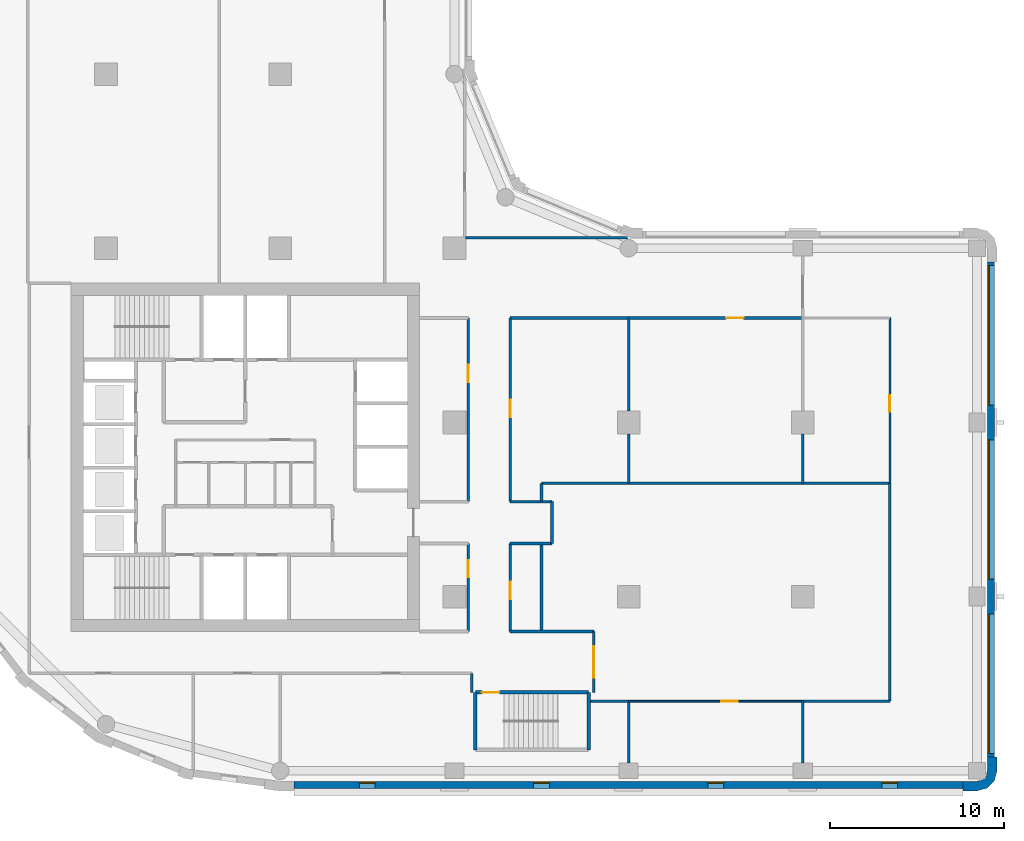
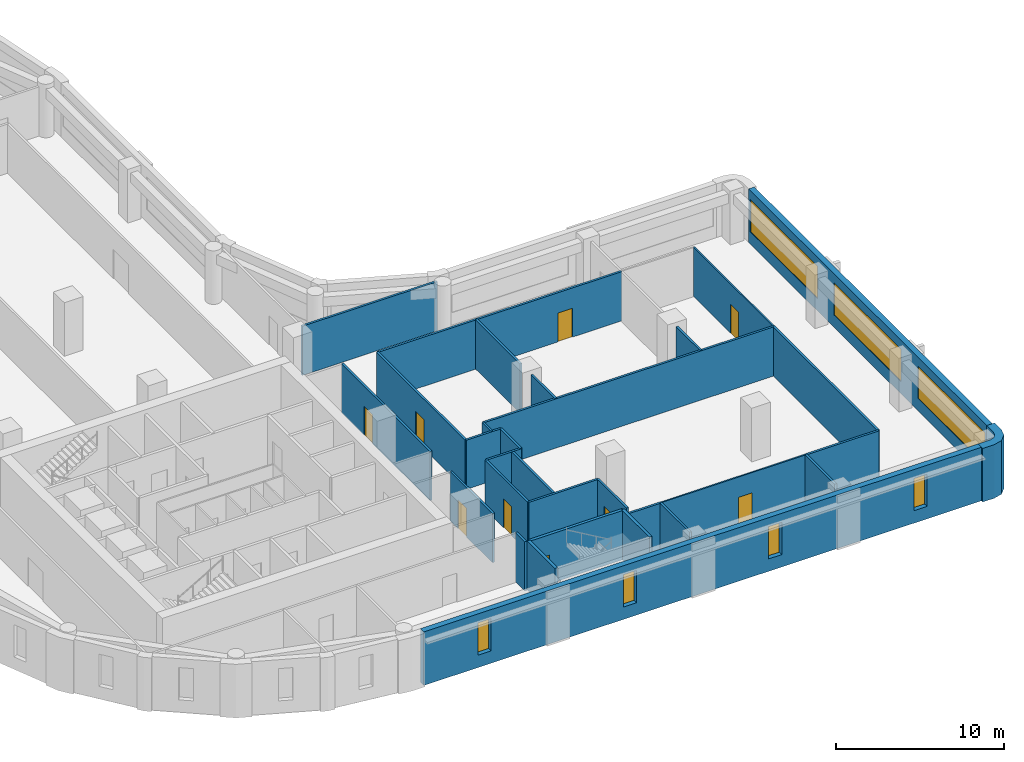
# One storey, part 4 of 9: 31 walls, 9 doors, 7 windows, 16 openings.
"""IFC4 building model written with IfcOpenShell, lengths in metres."""

from ifc_helpers import new_model, si_unit, direction, frame, frame_2d, origin, place, context, subcontext, project, spatial, polyline, rectangle, outline, extrude, material, layer, layer_set, type_object, element, fill, save


model = new_model("IFC4")

# Units and contexts
model_context = context("Model", 3, precision=1e-05, world=origin(), true_north=direction((0.0, 1.0)))
body_context = subcontext(model_context, "Body", "Model", "MODEL_VIEW")
ifc_project = project(units=[si_unit("LENGTHUNIT", "METRE"), si_unit("AREAUNIT", "SQUARE_METRE"), si_unit("VOLUMEUNIT", "CUBIC_METRE"), si_unit("PLANEANGLEUNIT", "RADIAN"), si_unit("MASSUNIT", "GRAM", prefix="KILO")], contexts=[model_context])

# Site, building, storey
site_placement = place(None, origin())
site = spatial("IfcSite", under=ifc_project, at=site_placement, CompositionType="ELEMENT")
building_placement = place(site_placement, origin())
building = spatial("IfcBuilding", under=site, at=building_placement, Name="Qaws Garden Tower", CompositionType="ELEMENT")
storey_placement = place(building_placement, frame((0.0, 0.0, 143.39990234375)))
storey = spatial("IfcBuildingStorey", under=building, at=storey_placement, Name="L34", CompositionType="ELEMENT", Elevation=143.39990234375)

# Wall
ifc_material_1 = material(Name="Clay facing brick masonry", Category="masonry")
ifc_layer_1 = layer(ifc_material_1, 0.550048828125)
ifc_layer_set_1 = layer_set([ifc_layer_1], Name="Clay facing brick masonry")
wall_type_1 = type_object("IfcWallType", Name="Brick corner pier 550 x 2400", PredefinedType="SOLIDWALL", material=ifc_layer_set_1)
wall_1_placement = place(storey_placement, origin())
element("IfcWall", 1, at=wall_1_placement, inside=storey, type_object=wall_type_1, Name="E-L34-pier-04", PredefinedType="SOLIDWALL", context=body_context, shape_type="SweptSolid", body=[
    extrude(outline(polyline([(59.199951171875, -1.0), (59.199951171875, -1.14990234375), (60.0, -1.14990234375), (60.574951171875, -0.995849609375), (60.995849609375, -0.574951171875), (61.14990234375, 0.0), (61.14990234375, 0.800048828125), (61.0, 0.800048828125), (60.60009765625, 0.800048828125), (60.60009765625, 0.0), (60.51953125, -0.300048828125), (60.300048828125, -0.51953125), (60.0, -0.60009765625), (59.199951171875, -0.60009765625), (59.199951171875, -1.0)])), origin(), (0.0, 0.0, 1.0), 3.900146484375),
])

# Wall, openings, windows
ifc_material_2 = material(Name="Clay facing brick masonry", Category="masonry")
ifc_layer_2 = layer(ifc_material_2, 0.39990234375)
ifc_layer_set_2 = layer_set([ifc_layer_2], Name="Clay facing brick masonry")
wall_type_2 = type_object("IfcWallType", Name="Brick infill wall 400", PredefinedType="SOLIDWALL", material=ifc_layer_set_2)
wall_2_placement = place(storey_placement, frame((20.800048828125, -0.800048828125, 0.0), z_axis=(0.0, 0.0, 1.0), x_axis=(1.0, 0.0, 0.0)))
wall_2 = element("IfcWall", 2, at=wall_2_placement, inside=storey, type_object=wall_type_2, Name="E-L34-infill-00", PredefinedType="SOLIDWALL", context=body_context, shape_type="SweptSolid", body=[
    extrude(rectangle(XDim=38.39990234375, YDim=0.39990234375, at=frame_2d((19.199951171875, 0.0))), origin(), (0.0, 0.0, 1.0), 3.900146484375),
])
opening_1_placement = place(wall_2_placement, frame((3.75, 0.0, 0.89990234375)))
opening_1 = element("IfcOpeningElement", 3, at=opening_1_placement, cuts=wall_2, Name="Opening W09", PredefinedType="OPENING", context=body_context, shape_type="SweptSolid", body=[
    extrude(rectangle(XDim=0.89990234375, YDim=2.35009765625, at=frame_2d((0.449951171875, 1.175048828125))), frame((0.0, 0.2099609375, 0.0), z_axis=(0.0, -1.0, 0.0), x_axis=(1.0, 0.0, 0.0)), (0.0, 0.0, 1.0), 0.419921875),
])
opening_2_placement = place(wall_2_placement, frame((13.75, 0.0, 0.89990234375)))
opening_2 = element("IfcOpeningElement", 4, at=opening_2_placement, cuts=wall_2, Name="Opening W09", PredefinedType="OPENING", context=body_context, shape_type="SweptSolid", body=[
    extrude(rectangle(XDim=0.89990234375, YDim=2.35009765625, at=frame_2d((0.449951171875, 1.175048828125))), frame((0.0, 0.2099609375, 0.0), z_axis=(0.0, -1.0, 0.0), x_axis=(1.0, 0.0, 0.0)), (0.0, 0.0, 1.0), 0.419921875),
])
opening_3_placement = place(wall_2_placement, frame((23.75, 0.0, 0.89990234375)))
opening_3 = element("IfcOpeningElement", 5, at=opening_3_placement, cuts=wall_2, Name="Opening W09", PredefinedType="OPENING", context=body_context, shape_type="SweptSolid", body=[
    extrude(rectangle(XDim=0.89990234375, YDim=2.35009765625, at=frame_2d((0.449951171875, 1.175048828125))), frame((0.0, 0.2099609375, 0.0), z_axis=(0.0, -1.0, 0.0), x_axis=(1.0, 0.0, 0.0)), (0.0, 0.0, 1.0), 0.419921875),
])
opening_4_placement = place(wall_2_placement, frame((33.75, 0.0, 0.89990234375)))
opening_4 = element("IfcOpeningElement", 6, at=opening_4_placement, cuts=wall_2, Name="Opening W09", PredefinedType="OPENING", context=body_context, shape_type="SweptSolid", body=[
    extrude(rectangle(XDim=0.89990234375, YDim=2.35009765625, at=frame_2d((0.449951171875, 1.175048828125))), frame((0.0, 0.2099609375, 0.0), z_axis=(0.0, -1.0, 0.0), x_axis=(1.0, 0.0, 0.0)), (0.0, 0.0, 1.0), 0.419921875),
])
ifc_material_3 = material(Name="Aluminium framed window, clear glazing", Category="aluminium")
window_type_1 = type_object("IfcWindowType", Name="Slit window 900 x 2350", PartitioningType="SINGLE_PANEL", PredefinedType="WINDOW", material=ifc_material_3)
window_1_placement = place(opening_1_placement, origin())
window_1 = element("IfcWindow", 7, at=window_1_placement, inside=storey, type_object=window_type_1, Name="E-L34-window-00-0", OverallHeight=2.35009765625, OverallWidth=0.89990234375, PartitioningType="SINGLE_PANEL", PredefinedType="WINDOW", context=body_context, shape_type="SweptSolid", body=[
    extrude(rectangle(XDim=0.89990234375, YDim=2.35009765625, at=frame_2d((0.449951171875, 1.175048828125))), frame((0.0, 0.159912109375, 0.0), z_axis=(0.0, -1.0, 0.0), x_axis=(1.0, 0.0, 0.0)), (0.0, 0.0, 1.0), 0.06005859375),
])
fill(opening_1, window_1)
window_2_placement = place(opening_2_placement, origin())
window_2 = element("IfcWindow", 8, at=window_2_placement, inside=storey, type_object=window_type_1, Name="E-L34-window-01-0", OverallHeight=2.35009765625, OverallWidth=0.89990234375, PartitioningType="SINGLE_PANEL", PredefinedType="WINDOW", context=body_context, shape_type="SweptSolid", body=[
    extrude(rectangle(XDim=0.89990234375, YDim=2.35009765625, at=frame_2d((0.449951171875, 1.175048828125))), frame((0.0, 0.159912109375, 0.0), z_axis=(0.0, -1.0, 0.0), x_axis=(1.0, 0.0, 0.0)), (0.0, 0.0, 1.0), 0.06005859375),
])
fill(opening_2, window_2)
window_3_placement = place(opening_3_placement, origin())
window_3 = element("IfcWindow", 9, at=window_3_placement, inside=storey, type_object=window_type_1, Name="E-L34-window-02-0", OverallHeight=2.35009765625, OverallWidth=0.89990234375, PartitioningType="SINGLE_PANEL", PredefinedType="WINDOW", context=body_context, shape_type="SweptSolid", body=[
    extrude(rectangle(XDim=0.89990234375, YDim=2.35009765625, at=frame_2d((0.449951171875, 1.175048828125))), frame((0.0, 0.159912109375, 0.0), z_axis=(0.0, -1.0, 0.0), x_axis=(1.0, 0.0, 0.0)), (0.0, 0.0, 1.0), 0.06005859375),
])
fill(opening_3, window_3)
window_4_placement = place(opening_4_placement, origin())
window_4 = element("IfcWindow", 10, at=window_4_placement, inside=storey, type_object=window_type_1, Name="E-L34-window-03-0", OverallHeight=2.35009765625, OverallWidth=0.89990234375, PartitioningType="SINGLE_PANEL", PredefinedType="WINDOW", context=body_context, shape_type="SweptSolid", body=[
    extrude(rectangle(XDim=0.89990234375, YDim=2.35009765625, at=frame_2d((0.449951171875, 1.175048828125))), frame((0.0, 0.159912109375, 0.0), z_axis=(0.0, -1.0, 0.0), x_axis=(1.0, 0.0, 0.0)), (0.0, 0.0, 1.0), 0.06005859375),
])
fill(opening_4, window_4)

wall_3_placement = place(storey_placement, frame((60.800048828125, 0.800048828125, 0.0), z_axis=(0.0, 0.0, 1.0), x_axis=(0.0, 1.0, 0.0)))
wall_3 = element("IfcWall", 11, at=wall_3_placement, inside=storey, type_object=wall_type_2, Name="E-L34-infill-04", PredefinedType="SOLIDWALL", context=body_context, shape_type="SweptSolid", body=[
    extrude(rectangle(XDim=28.39990234375, YDim=0.39990234375, at=frame_2d((14.199951171875, 0.0))), origin(), (0.0, 0.0, 1.0), 3.900146484375),
])
opening_5_placement = place(wall_3_placement, frame((0.199951171875, 0.0, 0.89990234375)))
opening_5 = element("IfcOpeningElement", 12, at=opening_5_placement, cuts=wall_3, Name="Opening W01", PredefinedType="OPENING", context=body_context, shape_type="SweptSolid", body=[
    extrude(rectangle(XDim=8.0, YDim=2.35009765625, at=frame_2d((4.0, 1.175048828125))), frame((0.0, 0.2099609375, 0.0), z_axis=(0.0, -1.0, 0.0), x_axis=(1.0, 0.0, 0.0)), (0.0, 0.0, 1.0), 0.419921875),
])
opening_6_placement = place(wall_3_placement, frame((10.199951171875, 0.0, 0.89990234375)))
opening_6 = element("IfcOpeningElement", 13, at=opening_6_placement, cuts=wall_3, Name="Opening W01", PredefinedType="OPENING", context=body_context, shape_type="SweptSolid", body=[
    extrude(rectangle(XDim=8.0, YDim=2.35009765625, at=frame_2d((4.0, 1.175048828125))), frame((0.0, 0.2099609375, 0.0), z_axis=(0.0, -1.0, 0.0), x_axis=(1.0, 0.0, 0.0)), (0.0, 0.0, 1.0), 0.419921875),
])
opening_7_placement = place(wall_3_placement, frame((20.199951171875, 0.0, 0.89990234375)))
opening_7 = element("IfcOpeningElement", 14, at=opening_7_placement, cuts=wall_3, Name="Opening W01", PredefinedType="OPENING", context=body_context, shape_type="SweptSolid", body=[
    extrude(rectangle(XDim=8.0, YDim=2.35009765625, at=frame_2d((4.0, 1.175048828125))), frame((0.0, 0.2099609375, 0.0), z_axis=(0.0, -1.0, 0.0), x_axis=(1.0, 0.0, 0.0)), (0.0, 0.0, 1.0), 0.419921875),
])
ifc_material_4 = material(Name="Aluminium framed window, clear glazing", Category="aluminium")
window_type_2 = type_object("IfcWindowType", Name="Ribbon window 8000 x 2350", PartitioningType="DOUBLE_PANEL_VERTICAL", PredefinedType="WINDOW", material=ifc_material_4)
window_5_placement = place(opening_5_placement, origin())
window_5 = element("IfcWindow", 15, at=window_5_placement, inside=storey, type_object=window_type_2, Name="E-L34-window-04-0", OverallHeight=2.35009765625, OverallWidth=8.0, PartitioningType="SINGLE_PANEL", PredefinedType="WINDOW", context=body_context, shape_type="SweptSolid", body=[
    extrude(rectangle(XDim=8.0, YDim=2.35009765625, at=frame_2d((4.0, 1.175048828125))), frame((0.0, 0.159912109375, 0.0), z_axis=(0.0, -1.0, 0.0), x_axis=(1.0, 0.0, 0.0)), (0.0, 0.0, 1.0), 0.06005859375),
])
fill(opening_5, window_5)
window_6_placement = place(opening_6_placement, origin())
window_6 = element("IfcWindow", 16, at=window_6_placement, inside=storey, type_object=window_type_2, Name="E-L34-window-05-0", OverallHeight=2.35009765625, OverallWidth=8.0, PartitioningType="SINGLE_PANEL", PredefinedType="WINDOW", context=body_context, shape_type="SweptSolid", body=[
    extrude(rectangle(XDim=8.0, YDim=2.35009765625, at=frame_2d((4.0, 1.175048828125))), frame((0.0, 0.159912109375, 0.0), z_axis=(0.0, -1.0, 0.0), x_axis=(1.0, 0.0, 0.0)), (0.0, 0.0, 1.0), 0.06005859375),
])
fill(opening_6, window_6)
window_7_placement = place(opening_7_placement, origin())
window_7 = element("IfcWindow", 17, at=window_7_placement, inside=storey, type_object=window_type_2, Name="E-L34-window-06-0", OverallHeight=2.35009765625, OverallWidth=8.0, PartitioningType="SINGLE_PANEL", PredefinedType="WINDOW", context=body_context, shape_type="SweptSolid", body=[
    extrude(rectangle(XDim=8.0, YDim=2.35009765625, at=frame_2d((4.0, 1.175048828125))), frame((0.0, 0.159912109375, 0.0), z_axis=(0.0, -1.0, 0.0), x_axis=(1.0, 0.0, 0.0)), (0.0, 0.0, 1.0), 0.06005859375),
])
fill(opening_7, window_7)

# Wall, opening, door
ifc_material_5 = material(Name="Concrete C70", Category="concrete")
ifc_layer_3 = layer(ifc_material_5, 0.199951171875)
ifc_layer_set_3 = layer_set([ifc_layer_3], Name="Concrete C70")
wall_type_3 = type_object("IfcWallType", Name="Core shaft wall 200 C70", PredefinedType="SHEAR", material=ifc_layer_set_3)
wall_4_placement = place(storey_placement, frame((31.199951171875, 4.5, 0.0), z_axis=(0.0, 0.0, 1.0), x_axis=(1.0, 0.0, 0.0)))
wall_4 = element("IfcWall", 18, at=wall_4_placement, inside=storey, type_object=wall_type_3, Name="Shaft wall", PredefinedType="SHEAR", context=body_context, shape_type="SweptSolid", body=[
    extrude(rectangle(XDim=6.5, YDim=0.199951171875, at=frame_2d((3.25, 0.0))), origin(), (0.0, 0.0, 1.0), 3.580078125),
])
opening_8_placement = place(wall_4_placement, frame((0.375, 0.0, 0.0)))
opening_8 = element("IfcOpeningElement", 19, at=opening_8_placement, cuts=wall_4, Name="Opening SD12", PredefinedType="OPENING", context=body_context, shape_type="SweptSolid", body=[
    extrude(rectangle(XDim=1.0, YDim=2.10009765625, at=frame_2d((0.5, 1.050048828125))), frame((0.0, 0.10986328125, 0.0), z_axis=(0.0, -1.0, 0.0), x_axis=(1.0, 0.0, 0.0)), (0.0, 0.0, 1.0), 0.219970703125),
])
ifc_material_6 = material(Name="Steel S235", Category="steel")
door_type_1 = type_object("IfcDoorType", Name="Stair door 1000x2100", OperationType="SINGLE_SWING_RIGHT", PredefinedType="DOOR", material=ifc_material_6)
door_1_placement = place(opening_8_placement, frame((1.0, 0.0, 0.0), z_axis=(0.0, 0.0, 1.0), x_axis=(-1.0, 0.0, 0.0)))
door_1 = element("IfcDoor", 20, at=door_1_placement, inside=storey, type_object=door_type_1, Name="Stair 5 door", OperationType="SINGLE_SWING_RIGHT", OverallHeight=2.10009765625, OverallWidth=1.0, PredefinedType="DOOR", context=body_context, shape_type="SweptSolid", body=[
    extrude(rectangle(XDim=1.0, YDim=2.10009765625, at=frame_2d((0.5, 1.050048828125))), frame((0.0, 0.02490234375, 0.0), z_axis=(0.0, -1.0, 0.0), x_axis=(1.0, 0.0, 0.0)), (0.0, 0.0, 1.0), 0.050048828125),
])
fill(opening_8, door_1)

# Walls
for number, where, z_axis, x_axis, name in (
    (21, (31.199951171875, 1.199951171875, 0.0), (0.0, 0.0, 1.0), (0.0, 1.0, 0.0), "Shaft wall"),
    (22, (37.699951171875, 1.199951171875, 0.0), (0.0, 0.0, 1.0), (0.0, 1.0, 0.0), "Shaft wall"),
):
    element("IfcWall", number, at=place(storey_placement, frame(where, z_axis=z_axis, x_axis=x_axis)), inside=storey, type_object=wall_type_3, Name=name, PredefinedType="SHEAR", context=body_context, shape_type="SweptSolid", body=[
        extrude(rectangle(XDim=3.300048828125, YDim=0.199951171875, at=frame_2d((1.64990234375, 0.0))), origin(), (0.0, 0.0, 1.0), 3.580078125),
    ])

# Wall, opening, door
ifc_material_7 = material(Name="Gypsum board partition")
ifc_layer_4 = layer(ifc_material_7, 0.10009765625)
ifc_layer_set_4 = layer_set([ifc_layer_4], Name="Gypsum board partition")
wall_type_4 = type_object("IfcWallType", Name="PARTITION 100", PredefinedType="PARTITIONING", material=ifc_layer_set_4)
wall_5_placement = place(storey_placement, frame((55.0, 16.5, 0.0), z_axis=(0.0, 0.0, 1.0), x_axis=(0.0, 1.0, 0.0)))
wall_5 = element("IfcWall", 23, at=wall_5_placement, inside=storey, type_object=wall_type_4, Name="O-L34-wall-001", PredefinedType="PARTITIONING", context=body_context, shape_type="SweptSolid", body=[
    extrude(rectangle(XDim=9.5, YDim=0.10009765625, at=frame_2d((4.75, 0.0))), origin(), (0.0, 0.0, 1.0), 3.580078125),
])
opening_9_placement = place(wall_5_placement, frame((4.125, 0.0, 0.0)))
opening_9 = element("IfcOpeningElement", 24, at=opening_9_placement, cuts=wall_5, Name="Opening B219", PredefinedType="OPENING", context=body_context, shape_type="SweptSolid", body=[
    extrude(rectangle(XDim=0.949951171875, YDim=2.10009765625, at=frame_2d((0.47509765625, 1.050048828125))), frame((0.0, 0.06005859375, 0.0), z_axis=(0.0, -1.0, 0.0), x_axis=(1.0, 0.0, 0.0)), (0.0, 0.0, 1.0), 0.1201171875),
])
ifc_material_8 = material(Name="Timber and glass door leaf", Category="wood")
door_type_2 = type_object("IfcDoorType", Name="GLAZED DOOR 950 X 2100", OperationType="SINGLE_SWING_LEFT", PredefinedType="DOOR", material=ifc_material_8)
door_2_placement = place(opening_9_placement, origin())
door_2 = element("IfcDoor", 25, at=door_2_placement, inside=storey, type_object=door_type_2, Name="O-L34-door-019", OperationType="SINGLE_SWING_RIGHT", OverallHeight=2.10009765625, OverallWidth=0.949951171875, PredefinedType="DOOR", context=body_context, shape_type="SweptSolid", body=[
    extrude(rectangle(XDim=0.949951171875, YDim=2.10009765625, at=frame_2d((0.47509765625, 1.050048828125))), frame((0.0, 0.02490234375, 0.0), z_axis=(0.0, -1.0, 0.0), x_axis=(1.0, 0.0, 0.0)), (0.0, 0.0, 1.0), 0.050048828125),
])
fill(opening_9, door_2)

wall_6_placement = place(storey_placement, frame((40.0, 4.0, 0.0), z_axis=(0.0, 0.0, 1.0), x_axis=(1.0, 0.0, 0.0)))
wall_6 = element("IfcWall", 26, at=wall_6_placement, inside=storey, type_object=wall_type_4, Name="O-L34-wall-002", PredefinedType="PARTITIONING", context=body_context, shape_type="SweptSolid", body=[
    extrude(rectangle(XDim=10.0, YDim=0.10009765625, at=frame_2d((5.0, 0.0))), origin(), (0.0, 0.0, 1.0), 3.580078125),
])
opening_10_placement = place(wall_6_placement, frame((5.324951171875, 0.0, 0.0)))
opening_10 = element("IfcOpeningElement", 27, at=opening_10_placement, cuts=wall_6, Name="Opening B218", PredefinedType="OPENING", context=body_context, shape_type="SweptSolid", body=[
    extrude(rectangle(XDim=0.949951171875, YDim=2.10009765625, at=frame_2d((0.47509765625, 1.050048828125))), frame((0.0, 0.06005859375, 0.0), z_axis=(0.0, -1.0, 0.0), x_axis=(1.0, 0.0, 0.0)), (0.0, 0.0, 1.0), 0.1201171875),
])
door_3_placement = place(opening_10_placement, frame((0.949951171875, 0.0, 0.0), z_axis=(0.0, 0.0, 1.0), x_axis=(-1.0, 0.0, 0.0)))
door_3 = element("IfcDoor", 28, at=door_3_placement, inside=storey, type_object=door_type_2, Name="O-L34-door-018", OperationType="SINGLE_SWING_RIGHT", OverallHeight=2.10009765625, OverallWidth=0.949951171875, PredefinedType="DOOR", context=body_context, shape_type="SweptSolid", body=[
    extrude(rectangle(XDim=0.949951171875, YDim=2.10009765625, at=frame_2d((0.47509765625, 1.050048828125))), frame((0.0, 0.02490234375, 0.0), z_axis=(0.0, -1.0, 0.0), x_axis=(1.0, 0.0, 0.0)), (0.0, 0.0, 1.0), 0.050048828125),
])
fill(opening_10, door_3)

ifc_material_9 = material(Name="Gypsum board partition")
ifc_layer_5 = layer(ifc_material_9, 0.14990234375)
ifc_layer_set_5 = layer_set([ifc_layer_5], Name="Gypsum board partition")
wall_type_5 = type_object("IfcWallType", Name="PARTITION 150 EI 60", PredefinedType="PARTITIONING", material=ifc_layer_set_5)
wall_7_placement = place(storey_placement, frame((30.800048828125, 8.0, 0.0), z_axis=(0.0, 0.0, 1.0), x_axis=(0.0, 1.0, 0.0)))
wall_7 = element("IfcWall", 29, at=wall_7_placement, inside=storey, type_object=wall_type_5, Name="O-L34-wall-015", PredefinedType="PARTITIONING", context=body_context, shape_type="SweptSolid", body=[
    extrude(rectangle(XDim=5.050048828125, YDim=0.14990234375, at=frame_2d((2.52490234375, 0.0))), origin(), (0.0, 0.0, 1.0), 3.580078125),
])
opening_11_placement = place(wall_7_placement, frame((3.10009765625, 0.0, 0.0)))
opening_11 = element("IfcOpeningElement", 30, at=opening_11_placement, cuts=wall_7, Name="Opening B216", PredefinedType="OPENING", context=body_context, shape_type="SweptSolid", body=[
    extrude(rectangle(XDim=1.0, YDim=2.10009765625, at=frame_2d((0.5, 1.050048828125))), frame((0.0, 0.0849609375, 0.0), z_axis=(0.0, -1.0, 0.0), x_axis=(1.0, 0.0, 0.0)), (0.0, 0.0, 1.0), 0.169921875),
])
ifc_material_10 = material(Name="Timber door leaf", Category="wood")
door_type_3 = type_object("IfcDoorType", Name="TENANCY ENTRANCE DOOR 1000 X 2100", OperationType="SINGLE_SWING_LEFT", PredefinedType="DOOR", material=ifc_material_10)
door_4_placement = place(opening_11_placement, origin())
door_4 = element("IfcDoor", 31, at=door_4_placement, inside=storey, type_object=door_type_3, Name="O-L34-door-016", OperationType="SINGLE_SWING_RIGHT", OverallHeight=2.10009765625, OverallWidth=1.0, PredefinedType="DOOR", context=body_context, shape_type="SweptSolid", body=[
    extrude(rectangle(XDim=1.0, YDim=2.10009765625, at=frame_2d((0.5, 1.050048828125))), frame((0.0, 0.02490234375, 0.0), z_axis=(0.0, -1.0, 0.0), x_axis=(1.0, 0.0, 0.0)), (0.0, 0.0, 1.0), 0.050048828125),
])
fill(opening_11, door_4)

wall_8_placement = place(storey_placement, frame((30.800048828125, 15.450927734375, 0.0), z_axis=(0.0, 0.0, 1.0), x_axis=(0.0, 1.0, 0.0)))
wall_8 = element("IfcWall", 32, at=wall_8_placement, inside=storey, type_object=wall_type_5, Name="O-L34-wall-016", PredefinedType="PARTITIONING", context=body_context, shape_type="SweptSolid", body=[
    extrude(rectangle(XDim=10.548095703125, YDim=0.14990234375, at=frame_2d((5.27392578125, 0.0))), origin(), (0.0, 0.0, 1.0), 3.580078125),
])
opening_12_placement = place(wall_8_placement, frame((6.85009765625, 0.0, 0.0)))
opening_12 = element("IfcOpeningElement", 33, at=opening_12_placement, cuts=wall_8, Name="Opening B212", PredefinedType="OPENING", context=body_context, shape_type="SweptSolid", body=[
    extrude(rectangle(XDim=1.0, YDim=2.10009765625, at=frame_2d((0.5, 1.050048828125))), frame((0.0, 0.0849609375, 0.0), z_axis=(0.0, -1.0, 0.0), x_axis=(1.0, 0.0, 0.0)), (0.0, 0.0, 1.0), 0.169921875),
])
door_5_placement = place(opening_12_placement, origin())
door_5 = element("IfcDoor", 34, at=door_5_placement, inside=storey, type_object=door_type_3, Name="O-L34-door-012", OperationType="SINGLE_SWING_RIGHT", OverallHeight=2.10009765625, OverallWidth=1.0, PredefinedType="DOOR", context=body_context, shape_type="SweptSolid", body=[
    extrude(rectangle(XDim=1.0, YDim=2.10009765625, at=frame_2d((0.5, 1.050048828125))), frame((0.0, 0.02490234375, 0.0), z_axis=(0.0, -1.0, 0.0), x_axis=(1.0, 0.0, 0.0)), (0.0, 0.0, 1.0), 0.050048828125),
])
fill(opening_12, door_5)

# Wall
wall_9_placement = place(storey_placement, frame((31.0, 4.5009765625, 0.0), z_axis=(0.0, 0.0, 1.0), x_axis=(0.0, 1.0, 0.0)))
element("IfcWall", 35, at=wall_9_placement, inside=storey, type_object=wall_type_5, Name="O-L34-wall-017", PredefinedType="PARTITIONING", context=body_context, shape_type="SweptSolid", body=[
    extrude(rectangle(XDim=1.09912109375, YDim=0.14990234375, at=frame_2d((0.549560546875, 0.0))), origin(), (0.0, 0.0, 1.0), 3.580078125),
])

# Wall, opening, door
wall_10_placement = place(storey_placement, frame((33.199951171875, 8.0, 0.0), z_axis=(0.0, 0.0, 1.0), x_axis=(0.0, 1.0, 0.0)))
wall_10 = element("IfcWall", 36, at=wall_10_placement, inside=storey, type_object=wall_type_5, Name="O-L34-wall-018", PredefinedType="PARTITIONING", context=body_context, shape_type="SweptSolid", body=[
    extrude(rectangle(XDim=5.050048828125, YDim=0.14990234375, at=frame_2d((2.52490234375, 0.0))), origin(), (0.0, 0.0, 1.0), 3.580078125),
])
opening_13_placement = place(wall_10_placement, frame((1.85009765625, 0.0, 0.0)))
opening_13 = element("IfcOpeningElement", 37, at=opening_13_placement, cuts=wall_10, Name="Opening B215", PredefinedType="OPENING", context=body_context, shape_type="SweptSolid", body=[
    extrude(rectangle(XDim=1.0, YDim=2.10009765625, at=frame_2d((0.5, 1.050048828125))), frame((0.0, 0.0849609375, 0.0), z_axis=(0.0, -1.0, 0.0), x_axis=(1.0, 0.0, 0.0)), (0.0, 0.0, 1.0), 0.169921875),
])
door_6_placement = place(opening_13_placement, frame((1.0, 0.0, 0.0), z_axis=(0.0, 0.0, 1.0), x_axis=(-1.0, 0.0, 0.0)))
door_6 = element("IfcDoor", 38, at=door_6_placement, inside=storey, type_object=door_type_3, Name="O-L34-door-015", OperationType="SINGLE_SWING_LEFT", OverallHeight=2.10009765625, OverallWidth=1.0, PredefinedType="DOOR", context=body_context, shape_type="SweptSolid", body=[
    extrude(rectangle(XDim=1.0, YDim=2.10009765625, at=frame_2d((0.5, 1.050048828125))), frame((0.0, 0.02490234375, 0.0), z_axis=(0.0, -1.0, 0.0), x_axis=(1.0, 0.0, 0.0)), (0.0, 0.0, 1.0), 0.050048828125),
])
fill(opening_13, door_6)

wall_11_placement = place(storey_placement, frame((33.199951171875, 15.450927734375, 0.0), z_axis=(0.0, 0.0, 1.0), x_axis=(0.0, 1.0, 0.0)))
wall_11 = element("IfcWall", 39, at=wall_11_placement, inside=storey, type_object=wall_type_5, Name="O-L34-wall-019", PredefinedType="PARTITIONING", context=body_context, shape_type="SweptSolid", body=[
    extrude(rectangle(XDim=10.548095703125, YDim=0.14990234375, at=frame_2d((5.27392578125, 0.0))), origin(), (0.0, 0.0, 1.0), 3.580078125),
])
opening_14_placement = place(wall_11_placement, frame((4.85009765625, 0.0, 0.0)))
opening_14 = element("IfcOpeningElement", 40, at=opening_14_placement, cuts=wall_11, Name="Opening B213", PredefinedType="OPENING", context=body_context, shape_type="SweptSolid", body=[
    extrude(rectangle(XDim=1.0, YDim=2.10009765625, at=frame_2d((0.5, 1.050048828125))), frame((0.0, 0.0849609375, 0.0), z_axis=(0.0, -1.0, 0.0), x_axis=(1.0, 0.0, 0.0)), (0.0, 0.0, 1.0), 0.169921875),
])
door_7_placement = place(opening_14_placement, frame((1.0, 0.0, 0.0), z_axis=(0.0, 0.0, 1.0), x_axis=(-1.0, 0.0, 0.0)))
door_7 = element("IfcDoor", 41, at=door_7_placement, inside=storey, type_object=door_type_3, Name="O-L34-door-013", OperationType="SINGLE_SWING_LEFT", OverallHeight=2.10009765625, OverallWidth=1.0, PredefinedType="DOOR", context=body_context, shape_type="SweptSolid", body=[
    extrude(rectangle(XDim=1.0, YDim=2.10009765625, at=frame_2d((0.5, 1.050048828125))), frame((0.0, 0.02490234375, 0.0), z_axis=(0.0, -1.0, 0.0), x_axis=(1.0, 0.0, 0.0)), (0.0, 0.0, 1.0), 0.050048828125),
])
fill(opening_14, door_7)

# Walls
wall_12_placement = place(storey_placement, frame((35.0, 8.0, 0.0), z_axis=(0.0, 0.0, 1.0), x_axis=(0.0, 1.0, 0.0)))
element("IfcWall", 42, at=wall_12_placement, inside=storey, type_object=wall_type_5, Name="O-L34-wall-020", PredefinedType="PARTITIONING", context=body_context, shape_type="SweptSolid", body=[
    extrude(rectangle(XDim=5.050048828125, YDim=0.14990234375, at=frame_2d((2.52490234375, 0.0))), origin(), (0.0, 0.0, 1.0), 3.580078125),
])
wall_13_placement = place(storey_placement, frame((35.0, 15.450927734375, 0.0), z_axis=(0.0, 0.0, 1.0), x_axis=(0.0, 1.0, 0.0)))
element("IfcWall", 43, at=wall_13_placement, inside=storey, type_object=wall_type_5, Name="O-L34-wall-021", PredefinedType="PARTITIONING", context=body_context, shape_type="SweptSolid", body=[
    extrude(rectangle(XDim=1.047119140625, YDim=0.14990234375, at=frame_2d((0.5234375, 0.0))), origin(), (0.0, 0.0, 1.0), 3.580078125),
])
wall_14_placement = place(storey_placement, frame((35.60009765625, 13.050048828125, 0.0), z_axis=(0.0, 0.0, 1.0), x_axis=(0.0, 1.0, 0.0)))
element("IfcWall", 44, at=wall_14_placement, inside=storey, type_object=wall_type_5, Name="O-L34-wall-022", PredefinedType="PARTITIONING", context=body_context, shape_type="SweptSolid", body=[
    extrude(rectangle(XDim=2.39990234375, YDim=0.14990234375, at=frame_2d((1.199951171875, 0.0))), origin(), (0.0, 0.0, 1.0), 3.580078125),
])

# Wall, opening, door
wall_15_placement = place(storey_placement, frame((38.0, 4.5, 0.0), z_axis=(0.0, 0.0, 1.0), x_axis=(0.0, 1.0, 0.0)))
wall_15 = element("IfcWall", 45, at=wall_15_placement, inside=storey, type_object=wall_type_5, Name="O-L34-wall-023", PredefinedType="PARTITIONING", context=body_context, shape_type="SweptSolid", body=[
    extrude(rectangle(XDim=3.5, YDim=0.14990234375, at=frame_2d((1.75, 0.0))), origin(), (0.0, 0.0, 1.0), 3.580078125),
])
opening_15_placement = place(wall_15_placement, frame((0.85009765625, 0.0, 0.0)))
opening_15 = element("IfcOpeningElement", 46, at=opening_15_placement, cuts=wall_15, Name="Opening B217", PredefinedType="OPENING", context=body_context, shape_type="SweptSolid", body=[
    extrude(rectangle(XDim=1.800048828125, YDim=2.10009765625, at=frame_2d((0.89990234375, 1.050048828125))), frame((0.0, 0.0849609375, 0.0), z_axis=(0.0, -1.0, 0.0), x_axis=(1.0, 0.0, 0.0)), (0.0, 0.0, 1.0), 0.169921875),
])
ifc_material_11 = material(Name="Timber door leaf", Category="wood")
door_type_4 = type_object("IfcDoorType", Name="DOUBLE DOOR 1800 X 2100", OperationType="DOUBLE_DOOR_SINGLE_SWING", PredefinedType="DOOR", material=ifc_material_11)
door_8_placement = place(opening_15_placement, frame((1.800048828125, 0.0, 0.0), z_axis=(0.0, 0.0, 1.0), x_axis=(-1.0, 0.0, 0.0)))
door_8 = element("IfcDoor", 47, at=door_8_placement, inside=storey, type_object=door_type_4, Name="O-L34-door-017", OperationType="DOUBLE_DOOR_SINGLE_SWING", OverallHeight=2.10009765625, OverallWidth=1.800048828125, PredefinedType="DOOR", context=body_context, shape_type="SweptSolid", body=[
    extrude(rectangle(XDim=1.800048828125, YDim=2.10009765625, at=frame_2d((0.89990234375, 1.050048828125))), frame((0.0, 0.02490234375, 0.0), z_axis=(0.0, -1.0, 0.0), x_axis=(1.0, 0.0, 0.0)), (0.0, 0.0, 1.0), 0.050048828125),
])
fill(opening_15, door_8)

# Walls
wall_16_placement = place(storey_placement, frame((40.0, 0.449951171875, 0.0), z_axis=(0.0, 0.0, 1.0), x_axis=(0.0, 1.0, 0.0)))
element("IfcWall", 48, at=wall_16_placement, inside=storey, type_object=wall_type_5, Name="O-L34-wall-024", PredefinedType="PARTITIONING", context=body_context, shape_type="SweptSolid", body=[
    extrude(rectangle(XDim=3.550048828125, YDim=0.14990234375, at=frame_2d((1.77490234375, 0.0))), origin(), (0.0, 0.0, 1.0), 3.580078125),
])
wall_17_placement = place(storey_placement, frame((40.0, 16.5009765625, 0.0), z_axis=(0.0, 0.0, 1.0), x_axis=(0.0, 1.0, 0.0)))
element("IfcWall", 49, at=wall_17_placement, inside=storey, type_object=wall_type_5, Name="O-L34-wall-025", PredefinedType="PARTITIONING", context=body_context, shape_type="SweptSolid", body=[
    extrude(rectangle(XDim=2.84912109375, YDim=0.14990234375, at=frame_2d((1.424560546875, 0.0))), origin(), (0.0, 0.0, 1.0), 3.580078125),
])
wall_18_placement = place(storey_placement, frame((40.0, 20.64990234375, 0.0), z_axis=(0.0, 0.0, 1.0), x_axis=(0.0, 1.0, 0.0)))
element("IfcWall", 50, at=wall_18_placement, inside=storey, type_object=wall_type_5, Name="O-L34-wall-026", PredefinedType="PARTITIONING", context=body_context, shape_type="SweptSolid", body=[
    extrude(rectangle(XDim=5.34912109375, YDim=0.14990234375, at=frame_2d((2.674560546875, 0.0))), origin(), (0.0, 0.0, 1.0), 3.580078125),
])
wall_19_placement = place(storey_placement, frame((50.0, 0.449951171875, 0.0), z_axis=(0.0, 0.0, 1.0), x_axis=(0.0, 1.0, 0.0)))
element("IfcWall", 51, at=wall_19_placement, inside=storey, type_object=wall_type_5, Name="O-L34-wall-027", PredefinedType="PARTITIONING", context=body_context, shape_type="SweptSolid", body=[
    extrude(rectangle(XDim=3.550048828125, YDim=0.14990234375, at=frame_2d((1.77490234375, 0.0))), origin(), (0.0, 0.0, 1.0), 3.580078125),
])
wall_20_placement = place(storey_placement, frame((50.0, 16.5, 0.0), z_axis=(0.0, 0.0, 1.0), x_axis=(0.0, 1.0, 0.0)))
element("IfcWall", 52, at=wall_20_placement, inside=storey, type_object=wall_type_5, Name="O-L34-wall-028", PredefinedType="PARTITIONING", context=body_context, shape_type="SweptSolid", body=[
    extrude(rectangle(XDim=2.85009765625, YDim=0.14990234375, at=frame_2d((1.425048828125, 0.0))), origin(), (0.0, 0.0, 1.0), 3.580078125),
])
wall_21_placement = place(storey_placement, frame((55.0, 4.0, 0.0), z_axis=(0.0, 0.0, 1.0), x_axis=(0.0, 1.0, 0.0)))
element("IfcWall", 53, at=wall_21_placement, inside=storey, type_object=wall_type_5, Name="O-L34-wall-030", PredefinedType="PARTITIONING", context=body_context, shape_type="SweptSolid", body=[
    extrude(rectangle(XDim=12.5, YDim=0.14990234375, at=frame_2d((6.25, 0.0))), origin(), (0.0, 0.0, 1.0), 3.580078125),
])
wall_22_placement = place(storey_placement, frame((37.800048828125, 4.0, 0.0), z_axis=(0.0, 0.0, 1.0), x_axis=(1.0, 0.0, 0.0)))
element("IfcWall", 54, at=wall_22_placement, inside=storey, type_object=wall_type_5, Name="O-L34-wall-031", PredefinedType="PARTITIONING", context=body_context, shape_type="SweptSolid", body=[
    extrude(rectangle(XDim=2.199951171875, YDim=0.14990234375, at=frame_2d((1.10009765625, 0.0))), origin(), (0.0, 0.0, 1.0), 3.580078125),
])
wall_23_placement = place(storey_placement, frame((50.0, 4.0, 0.0), z_axis=(0.0, 0.0, 1.0), x_axis=(1.0, 0.0, 0.0)))
element("IfcWall", 55, at=wall_23_placement, inside=storey, type_object=wall_type_5, Name="O-L34-wall-032", PredefinedType="PARTITIONING", context=body_context, shape_type="SweptSolid", body=[
    extrude(rectangle(XDim=5.0, YDim=0.14990234375, at=frame_2d((2.5, 0.0))), origin(), (0.0, 0.0, 1.0), 3.580078125),
])
wall_24_placement = place(storey_placement, frame((33.199951171875, 8.0, 0.0), z_axis=(0.0, 0.0, 1.0), x_axis=(1.0, 0.0, 0.0)))
element("IfcWall", 56, at=wall_24_placement, inside=storey, type_object=wall_type_5, Name="O-L34-wall-035", PredefinedType="PARTITIONING", context=body_context, shape_type="SweptSolid", body=[
    extrude(rectangle(XDim=4.800048828125, YDim=0.14990234375, at=frame_2d((2.39990234375, 0.0))), origin(), (0.0, 0.0, 1.0), 3.580078125),
])
wall_25_placement = place(storey_placement, frame((33.199951171875, 13.050048828125, 0.0), z_axis=(0.0, 0.0, 1.0), x_axis=(1.0, 0.0, 0.0)))
element("IfcWall", 57, at=wall_25_placement, inside=storey, type_object=wall_type_5, Name="O-L34-wall-037", PredefinedType="PARTITIONING", context=body_context, shape_type="SweptSolid", body=[
    extrude(rectangle(XDim=2.400146484375, YDim=0.14990234375, at=frame_2d((1.2001953125, 0.0))), origin(), (0.0, 0.0, 1.0), 3.580078125),
])
wall_26_placement = place(storey_placement, frame((33.200927734375, 15.449951171875, 0.0), z_axis=(0.0, 0.0, 1.0), x_axis=(1.0, 0.0, 0.0)))
element("IfcWall", 58, at=wall_26_placement, inside=storey, type_object=wall_type_5, Name="O-L34-wall-039", PredefinedType="PARTITIONING", context=body_context, shape_type="SweptSolid", body=[
    extrude(rectangle(XDim=2.399169921875, YDim=0.14990234375, at=frame_2d((1.19970703125, 0.0))), origin(), (0.0, 0.0, 1.0), 3.580078125),
])
wall_27_placement = place(storey_placement, frame((35.001953125, 16.5, 0.0), z_axis=(0.0, 0.0, 1.0), x_axis=(1.0, 0.0, 0.0)))
element("IfcWall", 59, at=wall_27_placement, inside=storey, type_object=wall_type_5, Name="O-L34-wall-040", PredefinedType="PARTITIONING", context=body_context, shape_type="SweptSolid", body=[
    extrude(rectangle(XDim=19.998046875, YDim=0.14990234375, at=frame_2d((9.9990234375, 0.0))), origin(), (0.0, 0.0, 1.0), 3.580078125),
])

# Wall, opening, door
wall_28_placement = place(storey_placement, frame((33.200927734375, 26.0, 0.0), z_axis=(0.0, 0.0, 1.0), x_axis=(1.0, 0.0, 0.0)))
wall_28 = element("IfcWall", 60, at=wall_28_placement, inside=storey, type_object=wall_type_5, Name="O-L34-wall-042", PredefinedType="PARTITIONING", context=body_context, shape_type="SweptSolid", body=[
    extrude(rectangle(XDim=16.799072265625, YDim=0.14990234375, at=frame_2d((8.3994140625, 0.0))), origin(), (0.0, 0.0, 1.0), 3.580078125),
])
opening_16_placement = place(wall_28_placement, frame((12.39794921875, 0.0, 0.0)))
opening_16 = element("IfcOpeningElement", 61, at=opening_16_placement, cuts=wall_28, Name="Opening B214", PredefinedType="OPENING", context=body_context, shape_type="SweptSolid", body=[
    extrude(rectangle(XDim=1.0, YDim=2.10009765625, at=frame_2d((0.5, 1.050048828125))), frame((0.0, 0.0849609375, 0.0), z_axis=(0.0, -1.0, 0.0), x_axis=(1.0, 0.0, 0.0)), (0.0, 0.0, 1.0), 0.169921875),
])
door_9_placement = place(opening_16_placement, frame((1.0, 0.0, 0.0), z_axis=(0.0, 0.0, 1.0), x_axis=(-1.0, 0.0, 0.0)))
door_9 = element("IfcDoor", 62, at=door_9_placement, inside=storey, type_object=door_type_3, Name="O-L34-door-014", OperationType="SINGLE_SWING_RIGHT", OverallHeight=2.10009765625, OverallWidth=1.0, PredefinedType="DOOR", context=body_context, shape_type="SweptSolid", body=[
    extrude(rectangle(XDim=1.0, YDim=2.10009765625, at=frame_2d((0.5, 1.050048828125))), frame((0.0, 0.02490234375, 0.0), z_axis=(0.0, -1.0, 0.0), x_axis=(1.0, 0.0, 0.0)), (0.0, 0.0, 1.0), 0.050048828125),
])
fill(opening_16, door_9)

# Wall
wall_29_placement = place(storey_placement, frame((30.64990234375, 30.60009765625, 0.0), z_axis=(0.0, 0.0, 1.0), x_axis=(1.0, 0.0, 0.0)))
element("IfcWall", 63, at=wall_29_placement, inside=storey, type_object=wall_type_5, Name="O-L34-wall-044", PredefinedType="PARTITIONING", context=body_context, shape_type="SweptSolid", body=[
    extrude(rectangle(XDim=9.288330078125, YDim=0.14990234375, at=frame_2d((4.64404296875, 0.0))), origin(), (0.0, 0.0, 1.0), 3.580078125),
])

save(model, "model.ifc")
